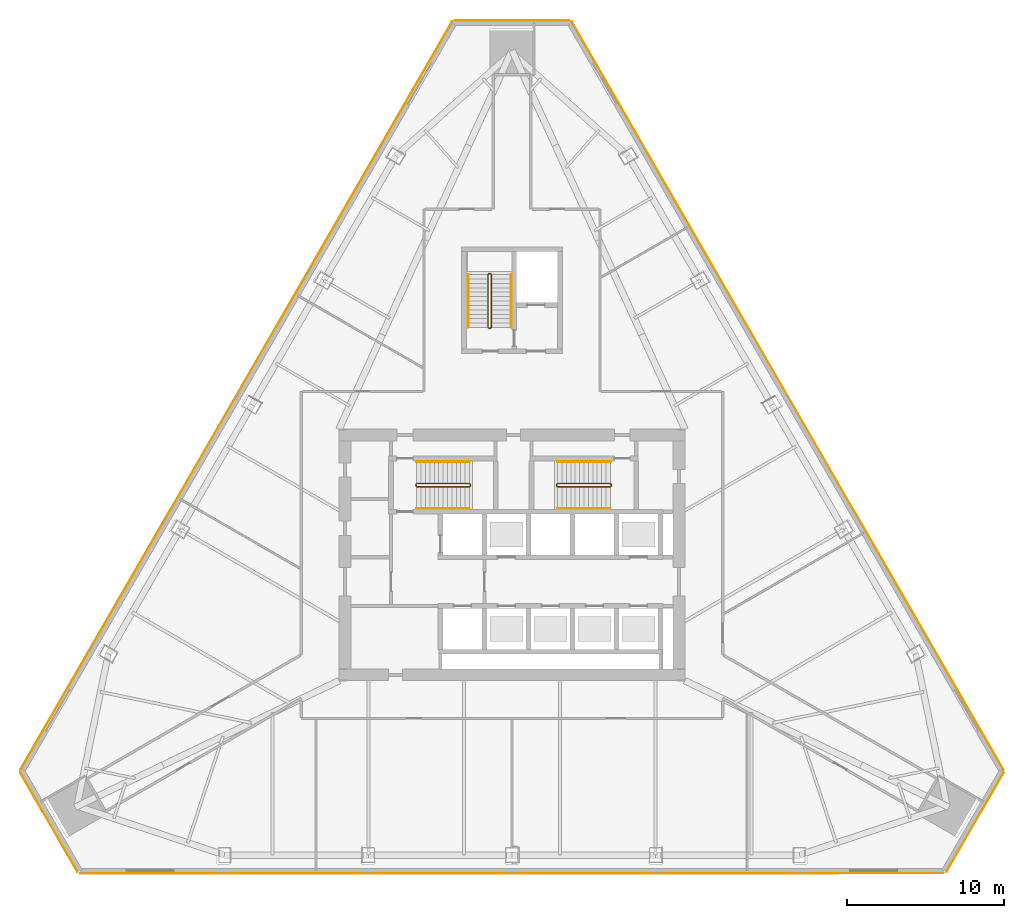
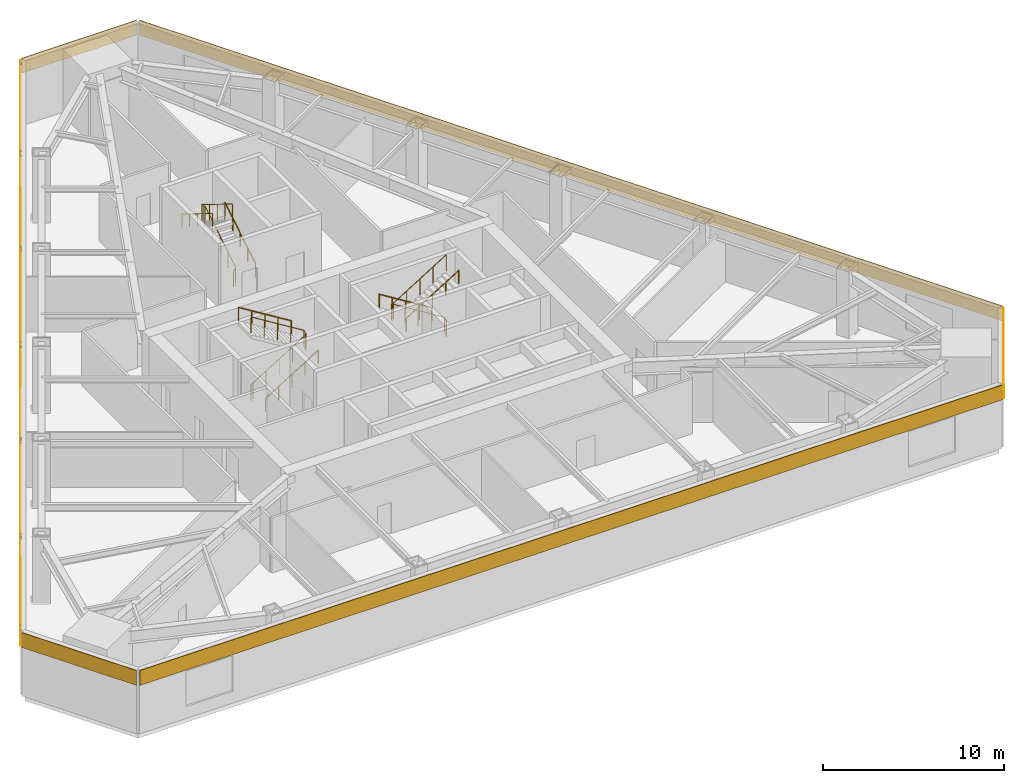
# One storey, part 13 of 14: 9 railings, 6 coverings.
"""IFC4 building model written with IfcOpenShell, lengths in metres."""

from ifc_helpers import new_model, si_unit, direction, frame, origin, origin_2d, place, context, subcontext, project, spatial, polyline, circle, outline, extrude, material, layer, layer_set, type_object, element, save


model = new_model("IFC4")

# Units and contexts
model_context = context("Model", 3, precision=1e-05, world=origin(), true_north=direction((0.0, 1.0)))
body_context = subcontext(model_context, "Body", "Model", "MODEL_VIEW")
ifc_project = project(units=[si_unit("LENGTHUNIT", "METRE"), si_unit("AREAUNIT", "SQUARE_METRE"), si_unit("VOLUMEUNIT", "CUBIC_METRE"), si_unit("PLANEANGLEUNIT", "RADIAN"), si_unit("MASSUNIT", "GRAM", prefix="KILO")], contexts=[model_context])

# Site, building, storey
site_placement = place(None, origin())
site = spatial("IfcSite", under=ifc_project, at=site_placement, CompositionType="ELEMENT")
building_placement = place(site_placement, origin())
building = spatial("IfcBuilding", under=site, at=building_placement, Name="Firuza Gate Tower and Library", CompositionType="ELEMENT")
storey_placement = place(building_placement, frame((0.0, 0.0, 151.300048828125)))
storey = spatial("IfcBuildingStorey", under=building, at=storey_placement, Name="L34", CompositionType="ELEMENT", Elevation=151.300048828125)

# Coverings
ifc_material_1 = material(Name="Glazed ceramic tile, cobalt")
ifc_layer_1 = layer(ifc_material_1, 0.0400390625)
ifc_layer_set_1 = layer_set([ifc_layer_1], Name="Cobalt glazed tile band 40")
covering_type_1 = type_object("IfcCoveringType", Name="Cobalt glazed tile band 40", PredefinedType="CLADDING", material=ifc_layer_set_1)
covering_1_placement = place(storey_placement, frame((102.6416015625, 54.82421875, 3.300048828125), z_axis=(0.866033626628, -0.499985757347, 0.0), x_axis=(0.499985757347, 0.866033626628, 0.0)))
element("IfcCovering", 1, at=covering_1_placement, inside=storey, type_object=covering_type_1, Name="Glazed tile band", PredefinedType="CLADDING", context=body_context, shape_type="SweptSolid", body=[
    extrude(outline(polyline([(0.0, 0.0), (7.303918991869336, 0.0), (7.303918991869336, 1.0), (0.0, 1.0), (0.0, 0.0)])), origin(), (0.0, 0.0, -1.0), 0.0400390625),
])
covering_2_placement = place(storey_placement, frame((78.65185546875, 109.026123046875, 3.300048828125), z_axis=(0.0, 1.0, 0.0), x_axis=(-1.0, 0.0, 0.0)))
element("IfcCovering", 2, at=covering_2_placement, inside=storey, type_object=covering_type_1, Name="Glazed tile band", PredefinedType="CLADDING", context=body_context, shape_type="SweptSolid", body=[
    extrude(outline(polyline([(0.0, 0.0), (7.3037109375, 0.0), (7.3037109375, 1.0), (0.0, 1.0), (0.0, 0.0)])), origin(), (0.0, 0.0, -1.0), 0.0400390625),
])
covering_3_placement = place(storey_placement, frame((43.70654296875, 61.149658203125, 3.300048828125), z_axis=(-0.866033626628, -0.499985757347, 0.0), x_axis=(0.499985757347, -0.866033626628, 0.0)))
element("IfcCovering", 3, at=covering_3_placement, inside=storey, type_object=covering_type_1, Name="Glazed tile band", PredefinedType="CLADDING", context=body_context, shape_type="SweptSolid", body=[
    extrude(outline(polyline([(0.0, 0.0), (7.303918991869336, 0.0), (7.303918991869336, 1.0), (0.0, 1.0), (0.0, 0.0)])), origin(), (0.0, 0.0, -1.0), 0.0400390625),
])

# Railings
ifc_material_2 = material(Name="Steel S355", Category="steel")
railing_type_1 = type_object("IfcRailingType", Name="Stair guard 1100", PredefinedType="GUARDRAIL", material=ifc_material_2)
railing_1_placement = place(storey_placement, frame((68.889892578125, 79.389892578125, 0.0)))
element("IfcRailing", 4, at=railing_1_placement, inside=storey, type_object=railing_type_1, Name="L34 ST1 stair guard 1", PredefinedType="GUARDRAIL", context=body_context, shape_type="SweptSolid", body=[
    extrude(circle(Radius=0.02392578125, at=origin_2d()), frame((0.0, 0.0, 1.076171875), z_axis=(0.0, 1.0, 0.0), x_axis=(-1.0, 0.0, 0.0)), (0.0, 0.0, 1.0), 0.10009765625),
    extrude(circle(Radius=0.02392578125, at=origin_2d()), frame((0.0, 0.10009765625, 1.076171875), z_axis=(0.213529850563, -0.639547942662, 0.73850080024), x_axis=(0.948528701346, 0.316691178788, 0.0)), (0.0, 0.0, 1.0), 0.234375),
    extrude(circle(Radius=0.02392578125, at=origin_2d()), frame((0.050048828125, -0.0498046875, 1.2490234375), z_axis=(0.850623216509, 0.0, 0.525775754039), x_axis=(0.0, 1.0, 0.0)), (0.0, 0.0, 1.0), 3.9501953125),
    extrude(circle(Radius=0.02392578125, at=origin_2d()), frame((3.41015625, -0.0498046875, 3.326171875), z_axis=(0.708833529934, 0.705375805398, 0.0), x_axis=(-0.705375805398, 0.708833529934, 0.0)), (0.0, 0.0, 1.0), 0.070556640625),
    extrude(circle(Radius=0.02392578125, at=origin_2d()), frame((3.460205078125, 0.0, 3.326171875), z_axis=(0.0, 1.0, 0.0), x_axis=(-1.0, 0.0, 0.0)), (0.0, 0.0, 1.0), 0.10009765625),
    extrude(circle(Radius=0.02392578125, at=origin_2d()), frame((3.460205078125, 0.10009765625, 3.326171875), z_axis=(-0.267629722418, 0.267629722418, 0.925607186314), x_axis=(-0.707106781187, -0.707106781187, 0.0)), (0.0, 0.0, 1.0), 0.18701171875),
    extrude(circle(Radius=0.02392578125, at=origin_2d()), frame((3.41015625, 0.150146484375, 3.4990234375), z_axis=(-0.850623216509, 0.0, 0.525775754039), x_axis=(0.0, -1.0, 0.0)), (0.0, 0.0, 1.0), 3.9501953125),
    extrude(circle(Radius=0.02099609375, at=origin_2d()), origin(), (0.0, 0.0, 1.0), 1.052001953125),
    extrude(circle(Radius=0.02099609375, at=origin_2d()), frame((0.0, 0.10009765625, 0.0)), (0.0, 0.0, 1.0), 1.052001953125),
    extrude(circle(Radius=0.02099609375, at=origin_2d()), frame((0.050048828125, -0.0498046875, 0.173095703125)), (0.0, 0.0, 1.0), 1.052001953125),
    extrude(circle(Radius=0.02099609375, at=origin_2d()), frame((0.89013671875, -0.0498046875, 0.6923828125)), (0.0, 0.0, 1.0), 1.052001953125),
    extrude(circle(Radius=0.02099609375, at=origin_2d()), frame((1.72998046875, -0.0498046875, 1.21142578125)), (0.0, 0.0, 1.0), 1.052001953125),
    extrude(circle(Radius=0.02099609375, at=origin_2d()), frame((2.570068359375, -0.0498046875, 1.730712890625)), (0.0, 0.0, 1.0), 1.052001953125),
    extrude(circle(Radius=0.02099609375, at=origin_2d()), frame((3.41015625, -0.0498046875, 2.25)), (0.0, 0.0, 1.0), 1.052001953125),
    extrude(circle(Radius=0.02099609375, at=origin_2d()), frame((3.460205078125, 0.0, 2.25)), (0.0, 0.0, 1.0), 1.052001953125),
    extrude(circle(Radius=0.02099609375, at=origin_2d()), frame((3.460205078125, 0.10009765625, 2.25)), (0.0, 0.0, 1.0), 1.052001953125),
    extrude(circle(Radius=0.02099609375, at=origin_2d()), frame((3.41015625, 0.150146484375, 2.423095703125)), (0.0, 0.0, 1.0), 1.052001953125),
    extrude(circle(Radius=0.02099609375, at=origin_2d()), frame((2.570068359375, 0.150146484375, 2.9423828125)), (0.0, 0.0, 1.0), 1.052001953125),
    extrude(circle(Radius=0.02099609375, at=origin_2d()), frame((1.72998046875, 0.150146484375, 3.46142578125)), (0.0, 0.0, 1.0), 1.052001953125),
    extrude(circle(Radius=0.02099609375, at=origin_2d()), frame((0.89013671875, 0.150146484375, 3.980712890625)), (0.0, 0.0, 1.0), 1.052001953125),
    extrude(circle(Radius=0.02099609375, at=origin_2d()), frame((0.050048828125, 0.150146484375, 4.5)), (0.0, 0.0, 1.0), 1.052001953125),
])
railing_2_placement = place(storey_placement, frame((81.31005859375, 79.489990234375, 0.0)))
element("IfcRailing", 5, at=railing_2_placement, inside=storey, type_object=railing_type_1, Name="L34 ST2 stair guard 1", PredefinedType="GUARDRAIL", context=body_context, shape_type="SweptSolid", body=[
    extrude(circle(Radius=0.02392578125, at=origin_2d()), frame((0.0, 0.0, 1.076171875), z_axis=(0.0, -1.0, 0.0), x_axis=(1.0, 0.0, 0.0)), (0.0, 0.0, 1.0), 0.10009765625),
    extrude(circle(Radius=0.02392578125, at=origin_2d()), frame((0.0, -0.10009765625, 1.076171875), z_axis=(-0.213387632126, 0.640162896378, 0.738008932572), x_axis=(-0.948683298051, -0.316227766017, 0.0)), (0.0, 0.0, 1.0), 0.234619140625),
    extrude(circle(Radius=0.02392578125, at=origin_2d()), frame((-0.050048828125, 0.050048828125, 1.2490234375), z_axis=(-0.850623216509, 0.0, 0.525775754039), x_axis=(0.0, -1.0, 0.0)), (0.0, 0.0, 1.0), 3.9501953125),
    extrude(circle(Radius=0.02392578125, at=origin_2d()), frame((-3.41015625, 0.050048828125, 3.326171875), z_axis=(-0.705375805398, -0.708833529934, 0.0), x_axis=(0.708833529934, -0.705375805398, 0.0)), (0.0, 0.0, 1.0), 0.070556640625),
    extrude(circle(Radius=0.02392578125, at=origin_2d()), frame((-3.4599609375, 0.0, 3.326171875), z_axis=(0.0, -1.0, 0.0), x_axis=(1.0, 0.0, 0.0)), (0.0, 0.0, 1.0), 0.10009765625),
    extrude(circle(Radius=0.02392578125, at=origin_2d()), frame((-3.4599609375, -0.10009765625, 3.326171875), z_axis=(0.26651005591, -0.26651005591, 0.926253086471), x_axis=(0.707106781187, 0.707106781187, 0.0)), (0.0, 0.0, 1.0), 0.186767578125),
    extrude(circle(Radius=0.02392578125, at=origin_2d()), frame((-3.41015625, -0.14990234375, 3.4990234375), z_axis=(0.850623216509, 0.0, 0.525775754039), x_axis=(0.0, 1.0, 0.0)), (0.0, 0.0, 1.0), 3.9501953125),
    extrude(circle(Radius=0.02099609375, at=origin_2d()), origin(), (0.0, 0.0, 1.0), 1.052001953125),
    extrude(circle(Radius=0.02099609375, at=origin_2d()), frame((0.0, -0.10009765625, 0.0)), (0.0, 0.0, 1.0), 1.052001953125),
    extrude(circle(Radius=0.02099609375, at=origin_2d()), frame((-0.050048828125, 0.050048828125, 0.173095703125)), (0.0, 0.0, 1.0), 1.052001953125),
    extrude(circle(Radius=0.02099609375, at=origin_2d()), frame((-0.89013671875, 0.050048828125, 0.6923828125)), (0.0, 0.0, 1.0), 1.052001953125),
    extrude(circle(Radius=0.02099609375, at=origin_2d()), frame((-1.72998046875, 0.050048828125, 1.21142578125)), (0.0, 0.0, 1.0), 1.052001953125),
    extrude(circle(Radius=0.02099609375, at=origin_2d()), frame((-2.570068359375, 0.050048828125, 1.730712890625)), (0.0, 0.0, 1.0), 1.052001953125),
    extrude(circle(Radius=0.02099609375, at=origin_2d()), frame((-3.41015625, 0.050048828125, 2.25)), (0.0, 0.0, 1.0), 1.052001953125),
    extrude(circle(Radius=0.02099609375, at=origin_2d()), frame((-3.4599609375, 0.0, 2.25)), (0.0, 0.0, 1.0), 1.052001953125),
    extrude(circle(Radius=0.02099609375, at=origin_2d()), frame((-3.4599609375, -0.10009765625, 2.25)), (0.0, 0.0, 1.0), 1.052001953125),
    extrude(circle(Radius=0.02099609375, at=origin_2d()), frame((-3.41015625, -0.14990234375, 2.423095703125)), (0.0, 0.0, 1.0), 1.052001953125),
    extrude(circle(Radius=0.02099609375, at=origin_2d()), frame((-2.570068359375, -0.14990234375, 2.9423828125)), (0.0, 0.0, 1.0), 1.052001953125),
    extrude(circle(Radius=0.02099609375, at=origin_2d()), frame((-1.72998046875, -0.14990234375, 3.46142578125)), (0.0, 0.0, 1.0), 1.052001953125),
    extrude(circle(Radius=0.02099609375, at=origin_2d()), frame((-0.89013671875, -0.14990234375, 3.980712890625)), (0.0, 0.0, 1.0), 1.052001953125),
    extrude(circle(Radius=0.02099609375, at=origin_2d()), frame((-0.050048828125, -0.14990234375, 4.5)), (0.0, 0.0, 1.0), 1.052001953125),
])
railing_3_placement = place(storey_placement, frame((73.6298828125, 89.419921875, 0.0)))
element("IfcRailing", 6, at=railing_3_placement, inside=storey, type_object=railing_type_1, Name="L34 ST3 stair guard 1", PredefinedType="GUARDRAIL", context=body_context, shape_type="SweptSolid", body=[
    extrude(circle(Radius=0.02392578125, at=origin_2d()), frame((0.0, 0.0, 1.076171875), z_axis=(-1.0, 0.0, 0.0), x_axis=(0.0, -1.0, 0.0)), (0.0, 0.0, 1.0), 0.099853515625),
    extrude(circle(Radius=0.02392578125, at=origin_2d()), frame((-0.099853515625, 0.0, 1.076171875), z_axis=(0.639547942662, 0.213529850563, 0.73850080024), x_axis=(-0.316691178788, 0.948528701346, 0.0)), (0.0, 0.0, 1.0), 0.234375),
    extrude(circle(Radius=0.02392578125, at=origin_2d()), frame((0.050048828125, 0.050048828125, 1.2490234375), z_axis=(0.0, 0.850623216509, 0.525775754039), x_axis=(-1.0, 0.0, 0.0)), (0.0, 0.0, 1.0), 3.9501953125),
    extrude(circle(Radius=0.02392578125, at=origin_2d()), frame((0.050048828125, 3.41015625, 3.326171875), z_axis=(-0.708833529934, 0.705375805398, 0.0), x_axis=(-0.705375805398, -0.708833529934, 0.0)), (0.0, 0.0, 1.0), 0.070556640625),
    extrude(circle(Radius=0.02392578125, at=origin_2d()), frame((0.0, 3.4599609375, 3.326171875), z_axis=(-1.0, 0.0, 0.0), x_axis=(0.0, -1.0, 0.0)), (0.0, 0.0, 1.0), 0.099853515625),
    extrude(circle(Radius=0.02392578125, at=origin_2d()), frame((-0.099853515625, 3.4599609375, 3.326171875), z_axis=(-0.267723051232, -0.266417085129, 0.925929967433), x_axis=(0.705375805398, -0.708833529934, 0.0)), (0.0, 0.0, 1.0), 0.18701171875),
    extrude(circle(Radius=0.02392578125, at=origin_2d()), frame((-0.14990234375, 3.41015625, 3.4990234375), z_axis=(0.0, -0.850623216509, 0.525775754039), x_axis=(1.0, 0.0, 0.0)), (0.0, 0.0, 1.0), 3.9501953125),
    extrude(circle(Radius=0.02099609375, at=origin_2d()), origin(), (0.0, 0.0, 1.0), 1.052001953125),
    extrude(circle(Radius=0.02099609375, at=origin_2d()), frame((-0.099853515625, 0.0, 0.0)), (0.0, 0.0, 1.0), 1.052001953125),
    extrude(circle(Radius=0.02099609375, at=origin_2d()), frame((0.050048828125, 0.050048828125, 0.173095703125)), (0.0, 0.0, 1.0), 1.052001953125),
    extrude(circle(Radius=0.02099609375, at=origin_2d()), frame((0.050048828125, 0.89013671875, 0.6923828125)), (0.0, 0.0, 1.0), 1.052001953125),
    extrude(circle(Radius=0.02099609375, at=origin_2d()), frame((0.050048828125, 1.72998046875, 1.21142578125)), (0.0, 0.0, 1.0), 1.052001953125),
    extrude(circle(Radius=0.02099609375, at=origin_2d()), frame((0.050048828125, 2.570068359375, 1.730712890625)), (0.0, 0.0, 1.0), 1.052001953125),
    extrude(circle(Radius=0.02099609375, at=origin_2d()), frame((0.050048828125, 3.41015625, 2.25)), (0.0, 0.0, 1.0), 1.052001953125),
    extrude(circle(Radius=0.02099609375, at=origin_2d()), frame((0.0, 3.4599609375, 2.25)), (0.0, 0.0, 1.0), 1.052001953125),
    extrude(circle(Radius=0.02099609375, at=origin_2d()), frame((-0.099853515625, 3.4599609375, 2.25)), (0.0, 0.0, 1.0), 1.052001953125),
    extrude(circle(Radius=0.02099609375, at=origin_2d()), frame((-0.14990234375, 3.41015625, 2.423095703125)), (0.0, 0.0, 1.0), 1.052001953125),
    extrude(circle(Radius=0.02099609375, at=origin_2d()), frame((-0.14990234375, 2.570068359375, 2.9423828125)), (0.0, 0.0, 1.0), 1.052001953125),
    extrude(circle(Radius=0.02099609375, at=origin_2d()), frame((-0.14990234375, 1.72998046875, 3.46142578125)), (0.0, 0.0, 1.0), 1.052001953125),
    extrude(circle(Radius=0.02099609375, at=origin_2d()), frame((-0.14990234375, 0.89013671875, 3.980712890625)), (0.0, 0.0, 1.0), 1.052001953125),
    extrude(circle(Radius=0.02099609375, at=origin_2d()), frame((-0.14990234375, 0.050048828125, 4.5)), (0.0, 0.0, 1.0), 1.052001953125),
])
ifc_material_3 = material(Name="Steel S355", Category="steel")
railing_type_2 = type_object("IfcRailingType", Name="Stair handrail 900", PredefinedType="HANDRAIL", material=ifc_material_3)
railing_4_placement = place(storey_placement, frame((68.93994140625, 77.949951171875, 0.173095703125)))
element("IfcRailing", 7, at=railing_4_placement, inside=storey, type_object=railing_type_2, Name="L34 ST1 stair handrail 1", PredefinedType="HANDRAIL", context=body_context, shape_type="SweptSolid", body=[
    extrude(circle(Radius=0.02392578125, at=origin_2d()), frame((0.0, 0.0, 0.8759765625), z_axis=(0.850623216509, 0.0, 0.525775754039), x_axis=(0.0, 1.0, 0.0)), (0.0, 0.0, 1.0), 3.9501953125),
    extrude(circle(Radius=0.02099609375, at=origin_2d()), origin(), (0.0, 0.0, 1.0), 0.851806640625),
    extrude(circle(Radius=0.02099609375, at=origin_2d()), frame((0.840087890625, 0.0, 0.519287109375)), (0.0, 0.0, 1.0), 0.851806640625),
    extrude(circle(Radius=0.02099609375, at=origin_2d()), frame((1.68017578125, 0.0, 1.03857421875)), (0.0, 0.0, 1.0), 0.851806640625),
    extrude(circle(Radius=0.02099609375, at=origin_2d()), frame((2.52001953125, 0.0, 1.5576171875)), (0.0, 0.0, 1.0), 0.851806640625),
    extrude(circle(Radius=0.02099609375, at=origin_2d()), frame((3.360107421875, 0.0, 2.076904296875)), (0.0, 0.0, 1.0), 0.851806640625),
])
for number, where, name in (
    (8, (72.300048828125, 80.929931640625, 2.423095703125), "L34 ST1 stair handrail 2"),
    (9, (81.260009765625, 80.929931640625, 0.173095703125), "L34 ST2 stair handrail 1"),
):
    element("IfcRailing", number, at=place(storey_placement, frame(where)), inside=storey, type_object=railing_type_2, Name=name, PredefinedType="HANDRAIL", context=body_context, shape_type="SweptSolid", body=[
        extrude(circle(Radius=0.02392578125, at=origin_2d()), frame((0.0, 0.0, 0.8759765625), z_axis=(-0.850623216509, 0.0, 0.525775754039), x_axis=(0.0, -1.0, 0.0)), (0.0, 0.0, 1.0), 3.9501953125),
        extrude(circle(Radius=0.02099609375, at=origin_2d()), origin(), (0.0, 0.0, 1.0), 0.851806640625),
        extrude(circle(Radius=0.02099609375, at=origin_2d()), frame((-0.840087890625, 0.0, 0.519287109375)), (0.0, 0.0, 1.0), 0.851806640625),
        extrude(circle(Radius=0.02099609375, at=origin_2d()), frame((-1.68017578125, 0.0, 1.03857421875)), (0.0, 0.0, 1.0), 0.851806640625),
        extrude(circle(Radius=0.02099609375, at=origin_2d()), frame((-2.52001953125, 0.0, 1.5576171875)), (0.0, 0.0, 1.0), 0.851806640625),
        extrude(circle(Radius=0.02099609375, at=origin_2d()), frame((-3.360107421875, 0.0, 2.076904296875)), (0.0, 0.0, 1.0), 0.851806640625),
    ])
railing_5_placement = place(storey_placement, frame((77.89990234375, 77.949951171875, 2.423095703125)))
element("IfcRailing", 10, at=railing_5_placement, inside=storey, type_object=railing_type_2, Name="L34 ST2 stair handrail 2", PredefinedType="HANDRAIL", context=body_context, shape_type="SweptSolid", body=[
    extrude(circle(Radius=0.02392578125, at=origin_2d()), frame((0.0, 0.0, 0.8759765625), z_axis=(0.850623216509, 0.0, 0.525775754039), x_axis=(0.0, 1.0, 0.0)), (0.0, 0.0, 1.0), 3.9501953125),
    extrude(circle(Radius=0.02099609375, at=origin_2d()), origin(), (0.0, 0.0, 1.0), 0.851806640625),
    extrude(circle(Radius=0.02099609375, at=origin_2d()), frame((0.840087890625, 0.0, 0.519287109375)), (0.0, 0.0, 1.0), 0.851806640625),
    extrude(circle(Radius=0.02099609375, at=origin_2d()), frame((1.68017578125, 0.0, 1.03857421875)), (0.0, 0.0, 1.0), 0.851806640625),
    extrude(circle(Radius=0.02099609375, at=origin_2d()), frame((2.52001953125, 0.0, 1.5576171875)), (0.0, 0.0, 1.0), 0.851806640625),
    extrude(circle(Radius=0.02099609375, at=origin_2d()), frame((3.360107421875, 0.0, 2.076904296875)), (0.0, 0.0, 1.0), 0.851806640625),
])
railing_6_placement = place(storey_placement, frame((74.949951171875, 89.469970703125, 0.173095703125)))
element("IfcRailing", 11, at=railing_6_placement, inside=storey, type_object=railing_type_2, Name="L34 ST3 stair handrail 1", PredefinedType="HANDRAIL", context=body_context, shape_type="SweptSolid", body=[
    extrude(circle(Radius=0.02392578125, at=origin_2d()), frame((0.0, 0.0, 0.8759765625), z_axis=(0.0, 0.850623216509, 0.525775754039), x_axis=(-1.0, 0.0, 0.0)), (0.0, 0.0, 1.0), 3.9501953125),
    extrude(circle(Radius=0.02099609375, at=origin_2d()), origin(), (0.0, 0.0, 1.0), 0.851806640625),
    extrude(circle(Radius=0.02099609375, at=origin_2d()), frame((0.0, 0.840087890625, 0.519287109375)), (0.0, 0.0, 1.0), 0.851806640625),
    extrude(circle(Radius=0.02099609375, at=origin_2d()), frame((0.0, 1.68017578125, 1.03857421875)), (0.0, 0.0, 1.0), 0.851806640625),
    extrude(circle(Radius=0.02099609375, at=origin_2d()), frame((0.0, 2.52001953125, 1.5576171875)), (0.0, 0.0, 1.0), 0.851806640625),
    extrude(circle(Radius=0.02099609375, at=origin_2d()), frame((0.0, 3.360107421875, 2.076904296875)), (0.0, 0.0, 1.0), 0.851806640625),
])
railing_7_placement = place(storey_placement, frame((72.2099609375, 92.830078125, 2.423095703125)))
element("IfcRailing", 12, at=railing_7_placement, inside=storey, type_object=railing_type_2, Name="L34 ST3 stair handrail 2", PredefinedType="HANDRAIL", context=body_context, shape_type="SweptSolid", body=[
    extrude(circle(Radius=0.02392578125, at=origin_2d()), frame((0.0, 0.0, 0.8759765625), z_axis=(0.0, -0.850623216509, 0.525775754039), x_axis=(1.0, 0.0, 0.0)), (0.0, 0.0, 1.0), 3.9501953125),
    extrude(circle(Radius=0.02099609375, at=origin_2d()), origin(), (0.0, 0.0, 1.0), 0.851806640625),
    extrude(circle(Radius=0.02099609375, at=origin_2d()), frame((0.0, -0.840087890625, 0.519287109375)), (0.0, 0.0, 1.0), 0.851806640625),
    extrude(circle(Radius=0.02099609375, at=origin_2d()), frame((0.0, -1.68017578125, 1.03857421875)), (0.0, 0.0, 1.0), 0.851806640625),
    extrude(circle(Radius=0.02099609375, at=origin_2d()), frame((0.0, -2.52001953125, 1.5576171875)), (0.0, 0.0, 1.0), 0.851806640625),
    extrude(circle(Radius=0.02099609375, at=origin_2d()), frame((0.0, -3.360107421875, 2.076904296875)), (0.0, 0.0, 1.0), 0.851806640625),
])

# Coverings
ifc_material_4 = material(Name="Glazed ceramic tile, turquoise")
ifc_layer_2 = layer(ifc_material_4, 0.0400390625)
ifc_layer_set_2 = layer_set([ifc_layer_2], Name="Turquoise glazed tile band 40")
covering_type_2 = type_object("IfcCoveringType", Name="Turquoise glazed tile band 40", PredefinedType="CLADDING", material=ifc_layer_set_2)
covering_4_placement = place(storey_placement, frame((47.52294921875, 54.729248046875, 3.300048828125), z_axis=(0.0, -1.0, 0.0), x_axis=(1.0, 0.0, 0.0)))
element("IfcCovering", 13, at=covering_4_placement, inside=storey, type_object=covering_type_2, Name="Glazed tile band", PredefinedType="CLADDING", context=body_context, shape_type="SweptSolid", body=[
    extrude(outline(polyline([(0.0, 0.0), (54.9541015625, 0.0), (54.9541015625, 1.0), (0.0, 1.0), (0.0, 0.0)])), origin(), (0.0, 0.0, -1.0), 0.0400390625),
])
for number, where, z_axis, x_axis, name in (
    (14, (106.29345703125, 61.339599609375, 3.300048828125), (0.866024970418, 0.500000750612, 0.0), (-0.500000750612, 0.866024970418, 0.0), "Glazed tile band"),
    (15, (71.18359375, 108.93115234375, 3.300048828125), (-0.866024970418, 0.500000750612, 0.0), (-0.500000750612, -0.866024970418, 0.0), "Glazed tile band"),
):
    element("IfcCovering", number, at=place(storey_placement, frame(where, z_axis=z_axis, x_axis=x_axis)), inside=storey, type_object=covering_type_2, Name=name, PredefinedType="CLADDING", context=body_context, shape_type="SweptSolid", body=[
        extrude(outline(polyline([(0.0, 0.0), (54.95401906416116, 0.0), (54.95401906416116, 1.0), (0.0, 1.0), (0.0, 0.0)])), origin(), (0.0, 0.0, -1.0), 0.0400390625),
    ])

save(model, "model.ifc")
